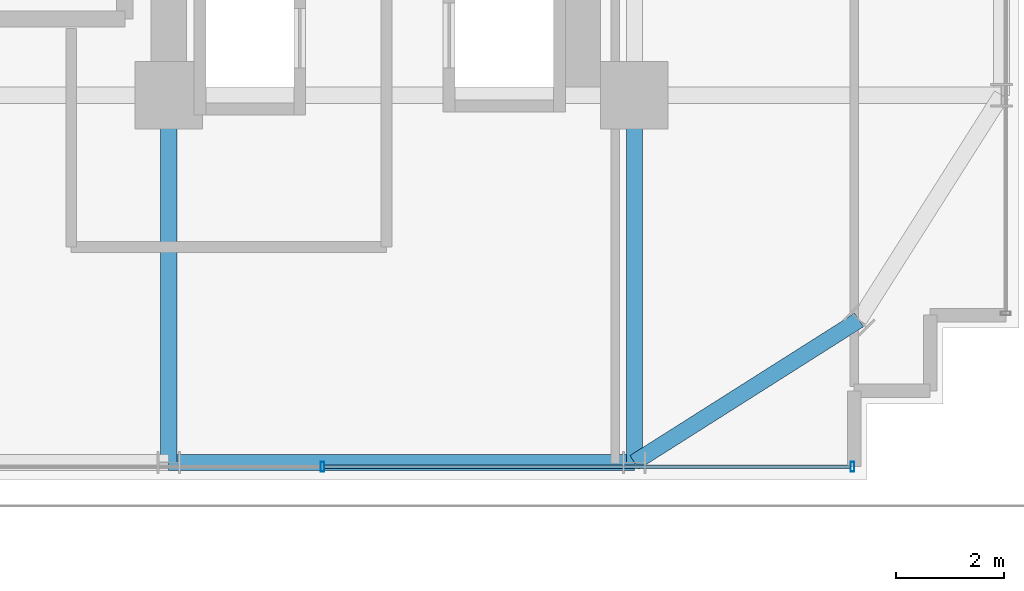
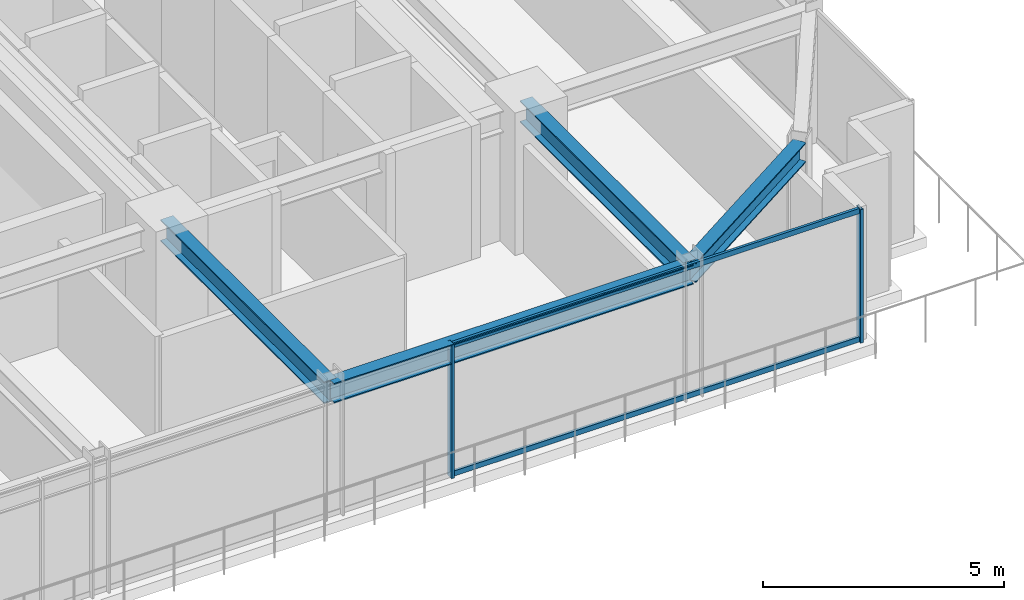
# One storey, part 11 of 34: 4 beams, 4 members, 1 element without a shape of its own.
"""IFC4 building model written with IfcOpenShell, lengths in metres."""

from ifc_helpers import new_model, si_unit, direction, frame, origin, origin_2d, place, context, subcontext, project, spatial, hollow_rectangle, i_section, extrude, source, transform, mapped, material, material_profile, profile_set, type_object, element, aggregate, save


model = new_model("IFC4")

# Units and contexts
model_context = context("Model", 3, precision=1e-05, world=origin(), true_north=direction((0.0, 1.0)))
body_context = subcontext(model_context, "Body", "Model", "MODEL_VIEW")
ifc_project = project(units=[si_unit("LENGTHUNIT", "METRE"), si_unit("AREAUNIT", "SQUARE_METRE"), si_unit("VOLUMEUNIT", "CUBIC_METRE"), si_unit("PLANEANGLEUNIT", "RADIAN"), si_unit("MASSUNIT", "GRAM", prefix="KILO")], contexts=[model_context])

# Site, building, storey
site_placement = place(None, origin())
site = spatial("IfcSite", under=ifc_project, at=site_placement, CompositionType="ELEMENT")
building_placement = place(site_placement, origin())
building = spatial("IfcBuilding", under=site, at=building_placement, Name="Nahalor Promenade Grand Hotel", CompositionType="ELEMENT")
storey_placement = place(building_placement, frame((0.0, 0.0, 88.300048828125)))
storey = spatial("IfcBuildingStorey", under=building, at=storey_placement, Name="L21", CompositionType="ELEMENT", Elevation=88.300048828125)

# Beams
ifc_material_1 = material(Name="Steel S355JR", Category="steel")
ifc_material_profile_1 = material_profile(ifc_material_1, i_section(OverallWidth=0.3, OverallDepth=0.5, WebThickness=0.0145, FlangeThickness=0.028, at=origin_2d()), Name="HEB 500")
ifc_profile_set_1 = profile_set([ifc_material_profile_1], Name="Steel S355JR")
beam_type_1 = type_object("IfcBeamType", Name="Beam-Spandrel-HEB500", PredefinedType="SPANDREL", material=ifc_profile_set_1)
shared_shape_1 = source(origin(), body_context, "Body", "SweptSolid", [
    extrude(i_section(OverallWidth=0.3, OverallDepth=0.5, WebThickness=0.0145, FlangeThickness=0.028, at=origin_2d()), origin(), (0.0, 0.0, 1.0), 8.60009765625),
])
beam_1_placement = place(storey_placement, frame((8.39990234375, -23.780029296875, 3.1298828125), z_axis=(1.0, 0.0, 0.0), x_axis=(0.0, 1.0, 0.0)))
element("IfcBeam", 1, at=beam_1_placement, inside=storey, type_object=beam_type_1, Name="BM-L21-SP-S-4", PredefinedType="SPANDREL", context=body_context, shape_type="MappedRepresentation", body=[
    mapped(shared_shape_1, transform((0.0, 0.0, 0.0), scale=1.0)),
])
shared_shape_2 = source(origin(), body_context, "Body", "SweptSolid", [
    extrude(i_section(OverallWidth=0.3, OverallDepth=0.5, WebThickness=0.0145, FlangeThickness=0.028, at=origin_2d()), origin(), (0.0, 0.0, 1.0), 4.9130859375),
])
beam_2_placement = place(storey_placement, frame((17.0, -23.780029296875, 3.1298828125), z_axis=(0.844648325505, 0.535321591403, 0.0), x_axis=(-0.535321591403, 0.844648325505, 0.0)))
element("IfcBeam", 2, at=beam_2_placement, inside=storey, type_object=beam_type_1, Name="BM-L21-SPC-SE-1", PredefinedType="SPANDREL", context=body_context, shape_type="MappedRepresentation", body=[
    mapped(shared_shape_2, transform((0.0, 0.0, 0.0), scale=1.0)),
])
ifc_material_profile_2 = material_profile(ifc_material_1, i_section(OverallWidth=0.3, OverallDepth=0.55, WebThickness=0.015, FlangeThickness=0.029, at=origin_2d()), Name="HEB 550")
ifc_profile_set_2 = profile_set([ifc_material_profile_2], Name="Steel S355JR")
beam_type_2 = type_object("IfcBeamType", Name="Beam-Girder-HEB550", PredefinedType="BEAM", material=ifc_profile_set_2)
shared_shape_3 = source(origin(), body_context, "Body", "SweptSolid", [
    extrude(i_section(OverallWidth=0.3, OverallDepth=0.55, WebThickness=0.015, FlangeThickness=0.029, at=origin_2d()), origin(), (0.0, 0.0, 1.0), 6.780029296875),
])
for number, where, z_axis, x_axis, name in (
    (3, (8.39990234375, -23.780029296875, 3.10498046875), (0.0, 1.0, 0.0), (-1.0, 0.0, 0.0), "BM-L21-GY-4-0"),
    (4, (17.0, -23.780029296875, 3.10498046875), (0.0, 1.0, 0.0), (-1.0, 0.0, 0.0), "BM-L21-GY-5-0"),
):
    element("IfcBeam", number, at=place(storey_placement, frame(where, z_axis=z_axis, x_axis=x_axis)), inside=storey, type_object=beam_type_2, Name=name, PredefinedType="BEAM", context=body_context, shape_type="MappedRepresentation", body=[
        mapped(shared_shape_3, transform((0.0, 0.0, 0.0), scale=1.0)),
    ])

# Curtain wall, members
ifc_material_2 = material(Name="Anodised Bronze Aluminium EN AW-6063 T6", Category="aluminium")
curtain_wall_type = type_object("IfcCurtainWallType", Name="CW2 Typical Hotel Flush Bronze Unitised Curtain Wall", PredefinedType="USERDEFINED", material=ifc_material_2)
curtain_wall_placement = place(storey_placement, origin())
curtain_wall = element("IfcCurtainWall", 5, at=curtain_wall_placement, inside=storey, type_object=curtain_wall_type, Name="L21 Curtain Wall CW-L21-S-3", ObjectType="UNITISED_CURTAIN_WALL", PredefinedType="USERDEFINED")
ifc_material_profile_3 = material_profile(ifc_material_2, hollow_rectangle(XDim=0.065, YDim=0.18, WallThickness=0.004, at=origin_2d()), Name="CWM 65x180x4")
ifc_profile_set_3 = profile_set([ifc_material_profile_3], Name="Anodised Bronze Aluminium EN AW-6063 T6")
member_type_1 = type_object("IfcMemberType", Name="CWM2 Typical Bronze Mullion 65x180", PredefinedType="MULLION", material=ifc_profile_set_3)
shared_shape_4 = source(origin(), body_context, "Body", "SweptSolid", [
    extrude(hollow_rectangle(XDim=0.065, YDim=0.18, WallThickness=0.004, at=origin_2d()), origin(), (0.0, 0.0, 1.0), 3.3798828125),
])
member_1_placement = place(storey_placement, frame((11.239990234375, -23.860107421875, 0.0), z_axis=(0.0, 0.0, 1.0), x_axis=(1.0, 0.0, 0.0)))
member_1 = element("IfcMember", 6, at=member_1_placement, type_object=member_type_1, Name="CW-L21-S-3 Mullion 2", PredefinedType="MULLION", context=body_context, shape_type="MappedRepresentation", body=[
    mapped(shared_shape_4, transform((0.0, 0.0, 0.0), scale=1.0)),
])
member_2_placement = place(storey_placement, frame((21.027587890625, -23.860107421875, 0.0), z_axis=(0.0, 0.0, 1.0), x_axis=(1.0, 0.0, 0.0)))
member_2 = element("IfcMember", 7, at=member_2_placement, type_object=member_type_1, Name="CW-L21-S-3 Mullion 3", PredefinedType="MULLION", context=body_context, shape_type="MappedRepresentation", body=[
    mapped(shared_shape_4, transform((0.0, 0.0, 0.0), scale=1.0)),
])
ifc_material_profile_4 = material_profile(ifc_material_2, hollow_rectangle(XDim=0.065, YDim=0.13, WallThickness=0.004, at=origin_2d()), Name="CWT 65x130x4")
ifc_profile_set_4 = profile_set([ifc_material_profile_4], Name="Anodised Bronze Aluminium EN AW-6063 T6")
member_type_2 = type_object("IfcMemberType", Name="CWT2 Typical Bronze Transom 65x130", PredefinedType="USERDEFINED", material=ifc_profile_set_4)
shared_shape_5 = source(origin(), body_context, "Body", "SweptSolid", [
    extrude(hollow_rectangle(XDim=0.065, YDim=0.13, WallThickness=0.004, at=origin_2d()), origin(), (0.0, 0.0, 1.0), 9.72265625),
])
member_3_placement = place(storey_placement, frame((11.2724609375, -23.860107421875, 0.06494140625), z_axis=(1.0, 0.0, 0.0), x_axis=(0.0, 1.0, 0.0)))
member_3 = element("IfcMember", 8, at=member_3_placement, type_object=member_type_2, Name="CW-L21-S-3 Transom 2-0", ObjectType="TRANSOM", PredefinedType="USERDEFINED", context=body_context, shape_type="MappedRepresentation", body=[
    mapped(shared_shape_5, transform((0.0, 0.0, 0.0), scale=1.0)),
])
member_4_placement = place(storey_placement, frame((11.2724609375, -23.860107421875, 3.31494140625), z_axis=(1.0, 0.0, 0.0), x_axis=(0.0, 1.0, 0.0)))
member_4 = element("IfcMember", 9, at=member_4_placement, type_object=member_type_2, Name="CW-L21-S-3 Transom 2-1", ObjectType="TRANSOM", PredefinedType="USERDEFINED", context=body_context, shape_type="MappedRepresentation", body=[
    mapped(shared_shape_5, transform((0.0, 0.0, 0.0), scale=1.0)),
])
aggregate(curtain_wall, [member_1, member_2, member_3, member_4])

save(model, "model.ifc")
